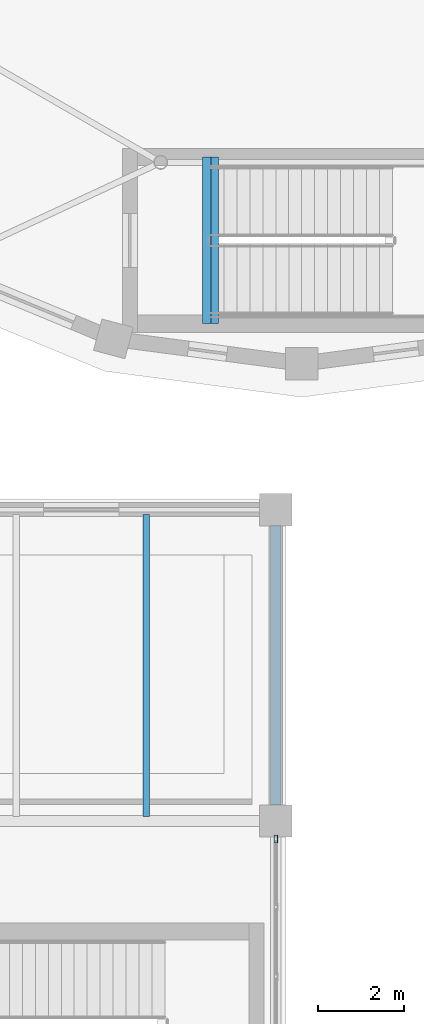
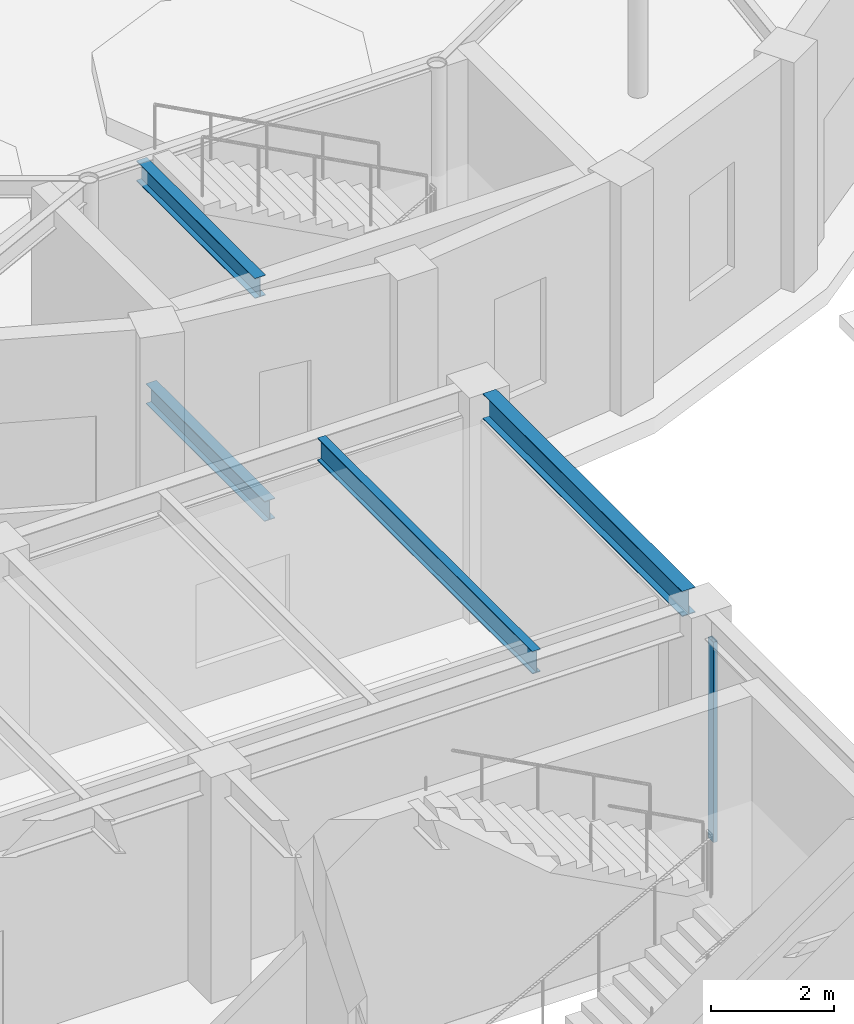
# One storey, part 19 of 39: 4 beams, 1 member, 1 element without a shape of its own.
"""IFC4 building model written with IfcOpenShell, lengths in metres."""

from ifc_helpers import new_model, si_unit, direction, frame, origin, origin_2d, place, context, subcontext, project, spatial, hollow_rectangle, i_section, extrude, material, layer, layer_set, material_profile, profile_set, type_object, element, aggregate, save


model = new_model("IFC4")

# Units and contexts
model_context = context("Model", 3, precision=1e-05, world=origin(), true_north=direction((0.0, 1.0)))
body_context = subcontext(model_context, "Body", "Model", "MODEL_VIEW")
ifc_project = project(units=[si_unit("LENGTHUNIT", "METRE"), si_unit("AREAUNIT", "SQUARE_METRE"), si_unit("VOLUMEUNIT", "CUBIC_METRE"), si_unit("PLANEANGLEUNIT", "RADIAN"), si_unit("MASSUNIT", "GRAM", prefix="KILO")], contexts=[model_context])

# Site, building, storey
site_placement = place(None, origin())
site = spatial("IfcSite", under=ifc_project, at=site_placement, CompositionType="ELEMENT")
building_placement = place(site_placement, origin())
building = spatial("IfcBuilding", under=site, at=building_placement, Name="Kandorven Conservatory and Botanical Research Centre", CompositionType="ELEMENT")
storey_placement = place(building_placement, origin())
storey = spatial("IfcBuildingStorey", under=building, at=storey_placement, Name="L00", CompositionType="ELEMENT", Elevation=0.0)

# Beams
ifc_material_1 = material(Name="Steel S355 (IS 2062 E350)", Category="steel")
ifc_material_profile_1 = material_profile(ifc_material_1, i_section(OverallWidth=0.25, OverallDepth=0.5, WebThickness=0.010009765625, FlangeThickness=0.0146484375, at=origin_2d()))
ifc_profile_set_1 = profile_set([ifc_material_profile_1], Name="Steel S355 (IS 2062 E350)")
beam_type_1 = type_object("IfcBeamType", Name="Beam_FG-02", PredefinedType="USERDEFINED", material=ifc_profile_set_1)
beam_1_placement = place(storey_placement, frame((87.0, 20.764892578125, 4.22998046875), z_axis=(0.0, 1.0, 0.0), x_axis=(-1.0, 0.0, 0.0)))
element("IfcBeam", 1, at=beam_1_placement, inside=storey, type_object=beam_type_1, Name="Primary girder FG-02 VIS L00", ObjectType="GIRDER", PredefinedType="USERDEFINED", context=body_context, shape_type="SweptSolid", body=[
    extrude(i_section(OverallWidth=0.25, OverallDepth=0.5, WebThickness=0.010009765625, FlangeThickness=0.0146484375, at=origin_2d()), origin(), (0.0, 0.0, 1.0), 6.47021484375),
])
ifc_material_2 = material(Name="Steel S355 (IS 2062 E350)", Category="steel")
ifc_material_profile_2 = material_profile(ifc_material_2, i_section(OverallWidth=0.199951171875, OverallDepth=0.39990234375, WebThickness=0.008544921875, FlangeThickness=0.012939453125, at=origin_2d()))
ifc_profile_set_2 = profile_set([ifc_material_profile_2], Name="Steel S355 (IS 2062 E350)")
beam_type_2 = type_object("IfcBeamType", Name="Beam_FG-03", PredefinedType="USERDEFINED", material=ifc_profile_set_2)
for number, where, z_axis, x_axis, name in (
    (2, (85.580078125, 31.89990234375, -0.199951171875), (0.0, 1.0, 0.0), (-1.0, 0.0, 0.0), "Stair well bottom trimmer girder FG-03 ST-V1 L00"),
    (3, (85.39990234375, 31.89990234375, 4.280029296875), (0.0, 1.0, 0.0), (-1.0, 0.0, 0.0), "Stair well top header girder FG-03 ST-V1 L00"),
):
    element("IfcBeam", number, at=place(storey_placement, frame(where, z_axis=z_axis, x_axis=x_axis)), inside=storey, type_object=beam_type_2, Name=name, ObjectType="GIRDER", PredefinedType="USERDEFINED", context=body_context, shape_type="SweptSolid", body=[
        extrude(i_section(OverallWidth=0.199951171875, OverallDepth=0.39990234375, WebThickness=0.008544921875, FlangeThickness=0.012939453125, at=origin_2d()), origin(), (0.0, 0.0, 1.0), 3.85009765625),
    ])
ifc_material_3 = material(Name="Steel S355 (IS 2062 E350)", Category="steel")
ifc_material_profile_3 = material_profile(ifc_material_3, i_section(OverallWidth=0.14990234375, OverallDepth=0.449951171875, WebThickness=0.009521484375, FlangeThickness=0.017333984375, at=origin_2d()))
ifc_profile_set_3 = profile_set([ifc_material_profile_3], Name="Steel S355 (IS 2062 E350)")
beam_type_3 = type_object("IfcBeamType", Name="Beam_SB-04", PredefinedType="BEAM", material=ifc_profile_set_3)
beam_2_placement = place(storey_placement, frame((84.0, 20.510009765625, 4.2548828125), z_axis=(0.0, 1.0, 0.0), x_axis=(-1.0, 0.0, 0.0)))
element("IfcBeam", 4, at=beam_2_placement, inside=storey, type_object=beam_type_3, Name="Composite secondary beam SB-04 VIS L00", PredefinedType="BEAM", context=body_context, shape_type="SweptSolid", body=[
    extrude(i_section(OverallWidth=0.14990234375, OverallDepth=0.449951171875, WebThickness=0.009521484375, FlangeThickness=0.017333984375, at=origin_2d()), origin(), (0.0, 0.0, 1.0), 6.97998046875),
])

# Curtain wall, member
ifc_material_4 = material(Name="Bronze anodised thermally broken aluminium", Category="aluminium")
ifc_layer = layer(ifc_material_4, 0.179931640625)
ifc_layer_set = layer_set([ifc_layer], Name="Bronze anodised thermally broken aluminium")
curtain_wall_type = type_object("IfcCurtainWallType", Name="CW_Unitised", PredefinedType="USERDEFINED", material=ifc_layer_set)
curtain_wall_placement = place(storey_placement, origin())
curtain_wall = element("IfcCurtainWall", 5, at=curtain_wall_placement, inside=storey, type_object=curtain_wall_type, Name="Visitor wing east curtain wall CW-VIS-E-L00-1", ObjectType="UNITISED GLAZING", PredefinedType="USERDEFINED")
ifc_material_5 = material(Name="Bronze anodised thermally broken aluminium", Category="aluminium")
ifc_material_profile_4 = material_profile(ifc_material_5, hollow_rectangle(XDim=0.080078125, YDim=0.179931640625, WallThickness=0.006103515625, at=origin_2d()))
ifc_profile_set_4 = profile_set([ifc_material_profile_4], Name="Bronze anodised thermally broken aluminium")
member_type = type_object("IfcMemberType", Name="CW_Mullion", PredefinedType="MULLION", material=ifc_profile_set_4)
member_placement = place(storey_placement, frame((87.0, 19.985107421875, 0.0), z_axis=(0.0, 0.0, 1.0), x_axis=(-1.0, 0.0, 0.0)))
member = element("IfcMember", 6, at=member_placement, type_object=member_type, Name="CW-01 mullion 5", PredefinedType="MULLION", context=body_context, shape_type="SweptSolid", body=[
    extrude(hollow_rectangle(XDim=0.080078125, YDim=0.179931640625, WallThickness=0.006103515625, at=origin_2d()), origin(), (0.0, 0.0, 1.0), 3.969970703125),
])
aggregate(curtain_wall, [member])

save(model, "model.ifc")
